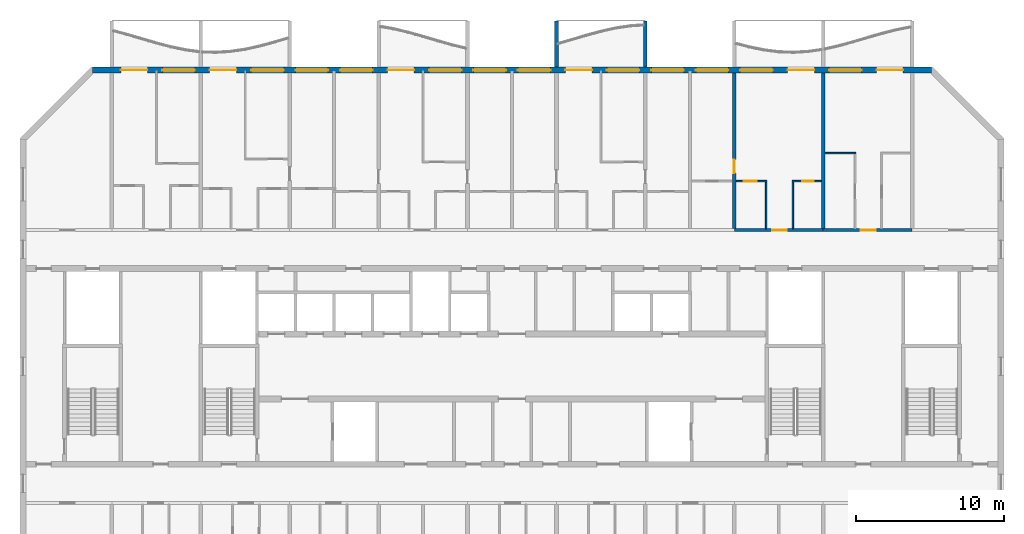
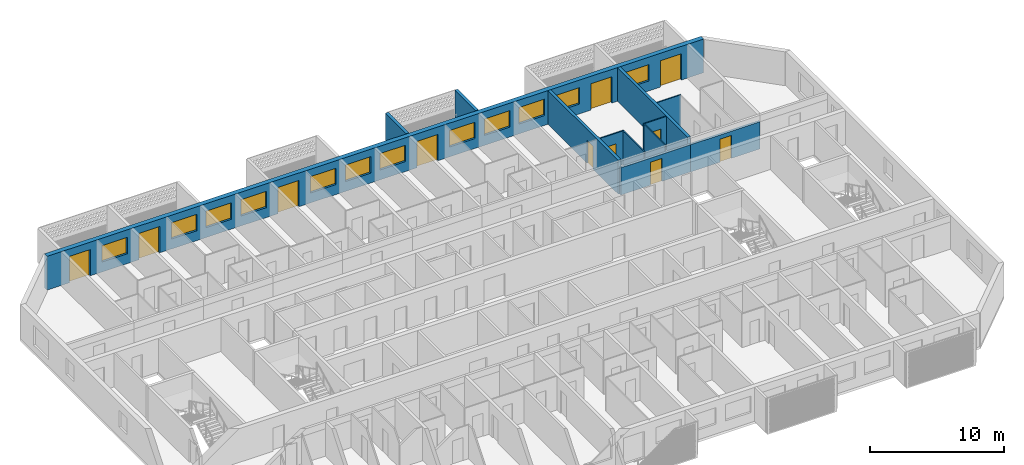
# One storey, part 10 of 27: 12 walls, 12 windows, 11 doors, 23 openings.
"""IFC4 building model written with IfcOpenShell, lengths in metres."""

import ifcopenshell
import ifcopenshell.guid

model = None  # the IFC model being written
_history = None  # IfcOwnerHistory: only IFC2X3 demands one
_inside = {}  # id of a spatial element -> (the spatial element, [elements in it])
_under = {}  # id of a project, library or spatial element -> (it, [spatial elements below it])
_declared = {}  # id of a project -> (the project, [libraries it declares])
_typed = {}  # id of a type object -> (the type object, [elements of that type])
_made_of = {}  # id of a material, layer set ... -> (it, [elements and type objects made of it])


def new_model(schema):
    """Start an empty IFC model of exactly this schema.

    Asked for "IFC4X3", IfcOpenShell would pick the latest addendum, in which some entities
    have other attributes; the version numbers below select the first issue.
    IFC2X3 requires an IfcOwnerHistory on every rooted entity: one is made here for all.
    """
    global model, _history
    if schema == "IFC4X3":
        model = ifcopenshell.file(schema_version=(4, 3, 0, 0))
    else:
        model = ifcopenshell.file(schema=schema)
    _inside.clear()
    _under.clear()
    _declared.clear()
    _typed.clear()
    _made_of.clear()
    _history = None
    if model.schema == "IFC2X3":
        org = make("IfcOrganization", Name="unknown")
        user = make(
            "IfcPersonAndOrganization",
            ThePerson=make("IfcPerson", FamilyName="unknown"),
            TheOrganization=org,
        )
        app = make(
            "IfcApplication",
            ApplicationDeveloper=org,
            Version="unknown",
            ApplicationFullName="unknown",
            ApplicationIdentifier="unknown",
        )
        _history = make(
            "IfcOwnerHistory",
            OwningUser=user,
            OwningApplication=app,
            ChangeAction="ADDED",
            CreationDate=0,
        )
    return model


def make(cls, **values):
    """One entity of the class cls with the attributes given. An attribute that is None is left unset."""
    return model.create_entity(
        cls, **{name: value for name, value in values.items() if value is not None}
    )


def rooted(cls, **values):
    """An entity with a GlobalId (a new one), such as an element, a storey or a relation."""
    return make(cls, GlobalId=ifcopenshell.guid.new(), OwnerHistory=_history, **values)


def si_unit(unit_type, name, prefix=None):
    """IfcSIUnit, for example si_unit("LENGTHUNIT", "METRE", prefix="MILLI")."""
    return make("IfcSIUnit", UnitType=unit_type, Prefix=prefix, Name=name)


def assignment(units):
    """IfcUnitAssignment: the units of a project."""
    return None if units is None else make("IfcUnitAssignment", Units=units)


def point(xyz):
    """IfcCartesianPoint."""
    return None if xyz is None else make("IfcCartesianPoint", Coordinates=xyz)


def direction(xyz):
    """IfcDirection."""
    return None if xyz is None else make("IfcDirection", DirectionRatios=xyz)


def frame(location, z_axis=None, x_axis=None):
    """IfcAxis2Placement3D, a coordinate frame: its origin and axes. An axis left out is left unset."""
    return make(
        "IfcAxis2Placement3D",
        Location=point(location),
        Axis=direction(z_axis),
        RefDirection=direction(x_axis),
    )


def frame_2d(location, x_axis=None):
    """IfcAxis2Placement2D, a coordinate frame in the plane: its origin and x axis."""
    return make(
        "IfcAxis2Placement2D", Location=point(location), RefDirection=direction(x_axis)
    )


def origin():
    """The frame at (0, 0, 0) with its axes left unset."""
    return frame((0.0, 0.0, 0.0))


def place(relative_to, where):
    """IfcLocalPlacement: puts the frame where relative to a parent placement (None: the world)."""
    return make(
        "IfcLocalPlacement", PlacementRelTo=relative_to, RelativePlacement=where
    )


def context(
    kind, dimensions, precision=None, world=None, true_north=None, identifier=None
):
    """IfcGeometricRepresentationContext, for example the 3D "Model" context."""
    return make(
        "IfcGeometricRepresentationContext",
        ContextIdentifier=identifier,
        ContextType=kind,
        CoordinateSpaceDimension=dimensions,
        Precision=precision,
        WorldCoordinateSystem=world,
        TrueNorth=true_north,
    )


def subcontext(parent, identifier, kind, view, scale=None):
    """IfcGeometricRepresentationSubContext, for example "Body" below "Model"."""
    return make(
        "IfcGeometricRepresentationSubContext",
        ContextIdentifier=identifier,
        ContextType=kind,
        ParentContext=parent,
        TargetScale=scale,
        TargetView=view,
    )


def project(units=None, contexts=None):
    """IfcProject with its units and contexts."""
    return rooted(
        "IfcProject",
        Name="project",
        RepresentationContexts=contexts,
        UnitsInContext=assignment(units),
    )


def spatial(cls, under=None, at=None, **own):
    """A site, building, storey or space (cls), placed at a placement, below another one or the project."""
    s = rooted(cls, ObjectPlacement=at, **own)
    if under is not None:
        _under.setdefault(under.id(), (under, []))[1].append(s)
    return s


def polyline(points):
    """IfcPolyline through the points."""
    return make("IfcPolyline", Points=[point(p) for p in points])


def profile(cls, at=None, kind="AREA", **sizes):
    """A parametric profile (cls). Its sizes go by their IFC names, for example OverallWidth=200.0."""
    return make(cls, ProfileType=kind, Position=at, **sizes)


def rectangle(**sizes):
    """IfcRectangleProfileDef."""
    return profile("IfcRectangleProfileDef", **sizes)


def outline(outer, holes=None, kind="AREA"):
    """IfcArbitraryClosedProfileDef: a profile drawn as a closed curve; with holes, ...WithVoids."""
    if holes is None:
        return make("IfcArbitraryClosedProfileDef", ProfileType=kind, OuterCurve=outer)
    return make(
        "IfcArbitraryProfileDefWithVoids",
        ProfileType=kind,
        OuterCurve=outer,
        InnerCurves=holes,
    )


def extrude(swept, where, along, depth):
    """IfcExtrudedAreaSolid: the profile swept, set in the frame where, extruded along a direction by depth."""
    return make(
        "IfcExtrudedAreaSolid",
        SweptArea=swept,
        Position=where,
        ExtrudedDirection=direction(along),
        Depth=depth,
    )


def shape(context_of_items, identifier, shape_type, items):
    """IfcShapeRepresentation: the items that make up one representation, for example the "Body"."""
    return make(
        "IfcShapeRepresentation",
        ContextOfItems=context_of_items,
        RepresentationIdentifier=identifier,
        RepresentationType=shape_type,
        Items=items,
    )


def source(mapping_origin, context_of_items, identifier, shape_type, items):
    """IfcRepresentationMap: a shape defined once, which mapped items show again and again."""
    return make(
        "IfcRepresentationMap",
        MappingOrigin=mapping_origin,
        MappedRepresentation=shape(context_of_items, identifier, shape_type, items),
    )


def transform(
    local_origin,
    x_axis=None,
    y_axis=None,
    z_axis=None,
    scale=None,
    scale2=None,
    scale3=None,
    uniform=True,
):
    """IfcCartesianTransformationOperator3D, or its non-uniform kind. x_axis, y_axis, z_axis: its Axis1, 2, 3."""
    if uniform:
        return make(
            "IfcCartesianTransformationOperator3D",
            Axis1=direction(x_axis),
            Axis2=direction(y_axis),
            LocalOrigin=point(local_origin),
            Scale=scale,
            Axis3=direction(z_axis),
        )
    return make(
        "IfcCartesianTransformationOperator3DnonUniform",
        Axis1=direction(x_axis),
        Axis2=direction(y_axis),
        LocalOrigin=point(local_origin),
        Scale=scale,
        Axis3=direction(z_axis),
        Scale2=scale2,
        Scale3=scale3,
    )


def mapped(mapping_source, mapping_target):
    """IfcMappedItem: shows the shape of a source again, moved by a transform."""
    return make(
        "IfcMappedItem", MappingSource=mapping_source, MappingTarget=mapping_target
    )


def material(Name=None, Category=None):
    """IfcMaterial."""
    return make("IfcMaterial", Name=Name, Category=Category)


def layer(
    of_material, thickness, ventilated=None, Name=None, Category=None, Priority=None
):
    """IfcMaterialLayer: one layer of a wall or slab, of a material (None: an air gap)."""
    return make(
        "IfcMaterialLayer",
        Material=of_material,
        LayerThickness=thickness,
        IsVentilated=ventilated,
        Name=Name,
        Category=Category,
        Priority=Priority,
    )


def layer_set(layers, Name=None):
    """IfcMaterialLayerSet."""
    return make("IfcMaterialLayerSet", MaterialLayers=layers, LayerSetName=Name)


def made_of(thing, what):
    """Note that an element or type object is made of a material, layer set ...; save() writes the relation."""
    if what is not None:
        _made_of.setdefault(what.id(), (what, []))[1].append(thing)
    return thing


def type_object(cls, material=None, **own):
    """A type object (cls), such as IfcWallType, which elements share."""
    return made_of(rooted(cls, **own), material)


def element(
    cls,
    number,
    at=None,
    inside=None,
    cuts=None,
    type_object=None,
    material=None,
    context=None,
    identifier="Body",
    shape_type=None,
    held_by="IfcProductDefinitionShape",
    body=None,
    shapes=None,
    **own,
):
    """One element of the class cls, such as IfcWall. Its Tag is "e" and its number.

    at: its placement. inside: the storey or other place that contains it. cuts: it is an
    opening in that element (IfcRelVoidsElement). A single representation is given by context,
    identifier, shape_type and body (its items); several are given by shapes. held_by: the class
    of the entity that holds the representations. save() writes the other relations.
    """
    e = rooted(cls, Tag="e%d" % number, ObjectPlacement=at, **own)
    if body is not None:
        shapes = [shape(context, identifier, shape_type, body)]
    if shapes is not None:
        e.Representation = make(held_by, Representations=shapes)
    if inside is not None:
        _inside.setdefault(inside.id(), (inside, []))[1].append(e)
    if cuts is not None:
        rooted(
            "IfcRelVoidsElement", RelatingBuildingElement=cuts, RelatedOpeningElement=e
        )
    if type_object is not None:
        _typed.setdefault(type_object.id(), (type_object, []))[1].append(e)
    return made_of(e, material)


def fill(opening, filler):
    """IfcRelFillsElement: the door or window that sits in an opening."""
    return rooted(
        "IfcRelFillsElement",
        RelatingOpeningElement=opening,
        RelatedBuildingElement=filler,
    )


def aggregate(whole, parts):
    """IfcRelAggregates: a whole, such as a stair, and the parts it consists of."""
    return rooted("IfcRelAggregates", RelatingObject=whole, RelatedObjects=parts)


def save(model, path):
    """Write the relations noted so far, then the file.

    IfcRelAggregates (storeys below a building ...), IfcRelContainedInSpatialStructure (elements
    in a storey), IfcRelDefinesByType, IfcRelAssociatesMaterial and IfcRelDeclares: one each for
    every whole, place, type object, material and project.
    """
    for whole, parts in _under.values():
        aggregate(whole, parts)
    for where, things in _inside.values():
        rooted(
            "IfcRelContainedInSpatialStructure",
            RelatedElements=things,
            RelatingStructure=where,
        )
    for kind, things in _typed.values():
        rooted("IfcRelDefinesByType", RelatedObjects=things, RelatingType=kind)
    for what, things in _made_of.values():
        rooted("IfcRelAssociatesMaterial", RelatedObjects=things, RelatingMaterial=what)
    for by, libraries in _declared.values():
        rooted("IfcRelDeclares", RelatingContext=by, RelatedDefinitions=libraries)
    model.write(path)


model = new_model("IFC4")

# Units and contexts
model_context = context("Model", 3, precision=1e-05, world=origin(), true_north=direction((0.0, 1.0)))
body_context = subcontext(model_context, "Body", "Model", "MODEL_VIEW")
ifc_project = project(units=[si_unit("LENGTHUNIT", "METRE"), si_unit("AREAUNIT", "SQUARE_METRE"), si_unit("VOLUMEUNIT", "CUBIC_METRE"), si_unit("PLANEANGLEUNIT", "RADIAN"), si_unit("MASSUNIT", "GRAM", prefix="KILO")], contexts=[model_context])

# Site, building, storey
site_placement = place(None, origin())
site = spatial("IfcSite", under=ifc_project, at=site_placement, CompositionType="ELEMENT")
building_placement = place(site_placement, origin())
building = spatial("IfcBuilding", under=site, at=building_placement, Name="Poui Terraces", CompositionType="ELEMENT")
storey_placement = place(building_placement, frame((0.0, 0.0, 191.699951171875)))
storey = spatial("IfcBuildingStorey", under=building, at=storey_placement, Name="L53", CompositionType="ELEMENT", Elevation=191.699951171875)

# Wall, opening, door
ifc_material_1 = material(Name="Concrete 50 MPa", Category="concrete")
ifc_layer_1 = layer(ifc_material_1, 0.199951171875)
ifc_layer_set_1 = layer_set([ifc_layer_1], Name="Concrete 50 MPa")
wall_type_1 = type_object("IfcWallType", Name="CORRIDOR WALL 200 50MPa", PredefinedType="SHEAR", material=ifc_layer_set_1)
wall_1_placement = place(storey_placement, frame((66.0, 30.39990234375, 0.0), z_axis=(0.0, 0.0, 1.0), x_axis=(1.0, 0.0, 0.0)))
wall_1 = element("IfcWall", 1, at=wall_1_placement, inside=storey, type_object=wall_type_1, Name="CORRIDOR WALL LINE E BAY 9", PredefinedType="SHEAR", context=body_context, shape_type="SweptSolid", body=[
    extrude(rectangle(XDim=6.0, YDim=0.199951171875, at=frame_2d((3.0, 0.0))), origin(), (0.0, 0.0, 1.0), 2.47998046875),
])
opening_1_placement = place(wall_1_placement, frame((2.550048828125, 0.0, 0.0)))
opening_1 = element("IfcOpeningElement", 2, at=opening_1_placement, cuts=wall_1, Name="Opening FD30S", PredefinedType="OPENING", context=body_context, shape_type="SweptSolid", body=[
    extrude(rectangle(XDim=1.0, YDim=2.10009765625, at=frame_2d((0.5, 1.050048828125))), frame((0.0, 0.10986328125, 0.0), z_axis=(0.0, -1.0, 0.0), x_axis=(1.0, 0.0, 0.0)), (0.0, 0.0, 1.0), 0.219970703125),
])
ifc_material_2 = material(Name="Steel fire door", Category="steel")
door_type_1 = type_object("IfcDoorType", Name="FLAT ENTRANCE DOOR 1000 X 2100", OperationType="NOTDEFINED", PredefinedType="DOOR", material=ifc_material_2)
door_1_placement = place(opening_1_placement, origin())
door_1 = element("IfcDoor", 3, at=door_1_placement, inside=storey, type_object=door_type_1, Name="FLAT ENTRANCE DOOR 057", OperationType="SINGLE_SWING_RIGHT", OverallHeight=2.10009765625, OverallWidth=1.0, PredefinedType="DOOR", context=body_context, shape_type="SweptSolid", body=[
    extrude(rectangle(XDim=1.0, YDim=2.10009765625, at=frame_2d((0.5, 1.050048828125))), frame((0.0, 0.02490234375, 0.0), z_axis=(0.0, -1.0, 0.0), x_axis=(1.0, 0.0, 0.0)), (0.0, 0.0, 1.0), 0.050048828125),
])
fill(opening_1, door_1)

wall_2_placement = place(storey_placement, frame((72.0, 30.39990234375, 0.0), z_axis=(0.0, 0.0, 1.0), x_axis=(1.0, 0.0, 0.0)))
wall_2 = element("IfcWall", 4, at=wall_2_placement, inside=storey, type_object=wall_type_1, Name="CORRIDOR WALL LINE E BAY 10", PredefinedType="SHEAR", context=body_context, shape_type="SweptSolid", body=[
    extrude(rectangle(XDim=6.0, YDim=0.199951171875, at=frame_2d((3.0, 0.0))), origin(), (0.0, 0.0, 1.0), 2.47998046875),
])
opening_2_placement = place(wall_2_placement, frame((2.550048828125, 0.0, 0.0)))
opening_2 = element("IfcOpeningElement", 5, at=opening_2_placement, cuts=wall_2, Name="Opening FD30S", PredefinedType="OPENING", context=body_context, shape_type="SweptSolid", body=[
    extrude(rectangle(XDim=1.0, YDim=2.10009765625, at=frame_2d((0.5, 1.050048828125))), frame((0.0, 0.10986328125, 0.0), z_axis=(0.0, -1.0, 0.0), x_axis=(1.0, 0.0, 0.0)), (0.0, 0.0, 1.0), 0.219970703125),
])
door_2_placement = place(opening_2_placement, origin())
door_2 = element("IfcDoor", 6, at=door_2_placement, inside=storey, type_object=door_type_1, Name="FLAT ENTRANCE DOOR 060", OperationType="SINGLE_SWING_RIGHT", OverallHeight=2.10009765625, OverallWidth=1.0, PredefinedType="DOOR", context=body_context, shape_type="SweptSolid", body=[
    extrude(rectangle(XDim=1.0, YDim=2.10009765625, at=frame_2d((0.5, 1.050048828125))), frame((0.0, 0.02490234375, 0.0), z_axis=(0.0, -1.0, 0.0), x_axis=(1.0, 0.0, 0.0)), (0.0, 0.0, 1.0), 0.050048828125),
])
fill(opening_2, door_2)

ifc_layer_2 = layer(ifc_material_1, 0.25)
ifc_layer_set_2 = layer_set([ifc_layer_2], Name="Concrete 50 MPa")
wall_type_2 = type_object("IfcWallType", Name="CROSS WALL 250 50MPa", PredefinedType="SHEAR", material=ifc_layer_set_2)
wall_3_placement = place(storey_placement, frame((66.0, 30.5, 0.0), z_axis=(0.0, 0.0, 1.0), x_axis=(0.0, 1.0, 0.0)))
wall_3 = element("IfcWall", 7, at=wall_3_placement, inside=storey, type_object=wall_type_2, Name="CROSS WALL LINE 12 NORTH", PredefinedType="SHEAR", context=body_context, shape_type="SweptSolid", body=[
    extrude(rectangle(XDim=10.5, YDim=0.25, at=frame_2d((5.25, 0.0))), origin(), (0.0, 0.0, 1.0), 3.080078125),
])
opening_3_placement = place(wall_3_placement, frame((3.75, 0.0, 0.0)))
opening_3 = element("IfcOpeningElement", 8, at=opening_3_placement, cuts=wall_3, Name="Opening D90", PredefinedType="OPENING", context=body_context, shape_type="SweptSolid", body=[
    extrude(rectangle(XDim=0.89990234375, YDim=2.10009765625, at=frame_2d((0.449951171875, 1.050048828125))), frame((0.0, 0.135009765625, 0.0), z_axis=(0.0, -1.0, 0.0), x_axis=(1.0, 0.0, 0.0)), (0.0, 0.0, 1.0), 0.27001953125),
])
ifc_material_3 = material(Name="Solid core timber door", Category="wood")
door_type_2 = type_object("IfcDoorType", Name="INTERNAL DOOR 900 X 2100", OperationType="NOTDEFINED", PredefinedType="DOOR", material=ifc_material_3)
door_3_placement = place(opening_3_placement, origin())
door_3 = element("IfcDoor", 9, at=door_3_placement, inside=storey, type_object=door_type_2, Name="INTERNAL DOOR 055", OperationType="SINGLE_SWING_LEFT", OverallHeight=2.10009765625, OverallWidth=0.89990234375, PredefinedType="DOOR", context=body_context, shape_type="SweptSolid", body=[
    extrude(rectangle(XDim=0.89990234375, YDim=2.10009765625, at=frame_2d((0.449951171875, 1.050048828125))), frame((0.0, 0.02490234375, 0.0), z_axis=(0.0, -1.0, 0.0), x_axis=(1.0, 0.0, 0.0)), (0.0, 0.0, 1.0), 0.050048828125),
])
fill(opening_3, door_3)

# Wall
wall_4_placement = place(storey_placement, frame((72.0, 30.5, 0.0), z_axis=(0.0, 0.0, 1.0), x_axis=(0.0, 1.0, 0.0)))
element("IfcWall", 10, at=wall_4_placement, inside=storey, type_object=wall_type_2, Name="CROSS WALL LINE 13 NORTH", PredefinedType="SHEAR", context=body_context, shape_type="SweptSolid", body=[
    extrude(rectangle(XDim=10.5, YDim=0.25, at=frame_2d((5.25, 0.0))), origin(), (0.0, 0.0, 1.0), 3.080078125),
])

# Wall, openings, doors, windows
ifc_material_4 = material(Name="Precast concrete 40 MPa", Category="concrete")
ifc_layer_3 = layer(ifc_material_4, 0.39990234375)
ifc_layer_set_3 = layer_set([ifc_layer_3], Name="Precast concrete 40 MPa")
wall_type_3 = type_object("IfcWallType", Name="EXTERNAL WALL 400", PredefinedType="STANDARD", material=ifc_layer_set_3)
wall_5_placement = place(storey_placement, frame((79.317138671875, 41.199951171875, 0.0), z_axis=(0.0, 0.0, 1.0), x_axis=(-1.0, 0.0, 0.0)))
wall_5 = element("IfcWall", 11, at=wall_5_placement, inside=storey, type_object=wall_type_3, Name="EXTERNAL WALL N", PredefinedType="STANDARD", context=body_context, shape_type="SweptSolid", body=[
    extrude(rectangle(XDim=56.63427734375, YDim=0.39990234375, at=frame_2d((28.317138671875, 0.0))), origin(), (0.0, 0.0, 1.0), 3.080078125),
])
opening_4_placement = place(wall_5_placement, frame((52.917236328125, 0.0, 0.0)))
opening_4 = element("IfcOpeningElement", 12, at=opening_4_placement, cuts=wall_5, Name="Opening BD1", PredefinedType="OPENING", context=body_context, shape_type="SweptSolid", body=[
    extrude(rectangle(XDim=1.800048828125, YDim=2.39990234375, at=frame_2d((0.89990234375, 1.199951171875))), frame((0.0, 0.2099609375, 0.0), z_axis=(0.0, -1.0, 0.0), x_axis=(1.0, 0.0, 0.0)), (0.0, 0.0, 1.0), 0.419921875),
])
opening_5_placement = place(wall_5_placement, frame((49.71728515625, 0.0, 0.89990234375)))
opening_5 = element("IfcOpeningElement", 13, at=opening_5_placement, cuts=wall_5, Name="Opening W1", PredefinedType="OPENING", context=body_context, shape_type="SweptSolid", body=[
    extrude(rectangle(XDim=2.199951171875, YDim=1.5, at=frame_2d((1.10009765625, 0.75))), frame((0.0, 0.2099609375, 0.0), z_axis=(0.0, -1.0, 0.0), x_axis=(1.0, 0.0, 0.0)), (0.0, 0.0, 1.0), 0.419921875),
])
opening_6_placement = place(wall_5_placement, frame((46.917236328125, 0.0, 0.0)))
opening_6 = element("IfcOpeningElement", 14, at=opening_6_placement, cuts=wall_5, Name="Opening BD1", PredefinedType="OPENING", context=body_context, shape_type="SweptSolid", body=[
    extrude(rectangle(XDim=1.800048828125, YDim=2.39990234375, at=frame_2d((0.89990234375, 1.199951171875))), frame((0.0, 0.2099609375, 0.0), z_axis=(0.0, -1.0, 0.0), x_axis=(1.0, 0.0, 0.0)), (0.0, 0.0, 1.0), 0.419921875),
])
opening_7_placement = place(wall_5_placement, frame((43.71728515625, 0.0, 0.89990234375)))
opening_7 = element("IfcOpeningElement", 15, at=opening_7_placement, cuts=wall_5, Name="Opening W1", PredefinedType="OPENING", context=body_context, shape_type="SweptSolid", body=[
    extrude(rectangle(XDim=2.199951171875, YDim=1.5, at=frame_2d((1.10009765625, 0.75))), frame((0.0, 0.2099609375, 0.0), z_axis=(0.0, -1.0, 0.0), x_axis=(1.0, 0.0, 0.0)), (0.0, 0.0, 1.0), 0.419921875),
])
opening_8_placement = place(wall_5_placement, frame((40.71728515625, 0.0, 0.89990234375)))
opening_8 = element("IfcOpeningElement", 16, at=opening_8_placement, cuts=wall_5, Name="Opening W1", PredefinedType="OPENING", context=body_context, shape_type="SweptSolid", body=[
    extrude(rectangle(XDim=2.199951171875, YDim=1.5, at=frame_2d((1.10009765625, 0.75))), frame((0.0, 0.2099609375, 0.0), z_axis=(0.0, -1.0, 0.0), x_axis=(1.0, 0.0, 0.0)), (0.0, 0.0, 1.0), 0.419921875),
])
opening_9_placement = place(wall_5_placement, frame((37.71728515625, 0.0, 0.89990234375)))
opening_9 = element("IfcOpeningElement", 17, at=opening_9_placement, cuts=wall_5, Name="Opening W1", PredefinedType="OPENING", context=body_context, shape_type="SweptSolid", body=[
    extrude(rectangle(XDim=2.199951171875, YDim=1.5, at=frame_2d((1.10009765625, 0.75))), frame((0.0, 0.2099609375, 0.0), z_axis=(0.0, -1.0, 0.0), x_axis=(1.0, 0.0, 0.0)), (0.0, 0.0, 1.0), 0.419921875),
])
opening_10_placement = place(wall_5_placement, frame((34.917236328125, 0.0, 0.0)))
opening_10 = element("IfcOpeningElement", 18, at=opening_10_placement, cuts=wall_5, Name="Opening BD1", PredefinedType="OPENING", context=body_context, shape_type="SweptSolid", body=[
    extrude(rectangle(XDim=1.800048828125, YDim=2.39990234375, at=frame_2d((0.89990234375, 1.199951171875))), frame((0.0, 0.2099609375, 0.0), z_axis=(0.0, -1.0, 0.0), x_axis=(1.0, 0.0, 0.0)), (0.0, 0.0, 1.0), 0.419921875),
])
opening_11_placement = place(wall_5_placement, frame((31.71728515625, 0.0, 0.89990234375)))
opening_11 = element("IfcOpeningElement", 19, at=opening_11_placement, cuts=wall_5, Name="Opening W1", PredefinedType="OPENING", context=body_context, shape_type="SweptSolid", body=[
    extrude(rectangle(XDim=2.199951171875, YDim=1.5, at=frame_2d((1.10009765625, 0.75))), frame((0.0, 0.2099609375, 0.0), z_axis=(0.0, -1.0, 0.0), x_axis=(1.0, 0.0, 0.0)), (0.0, 0.0, 1.0), 0.419921875),
])
opening_12_placement = place(wall_5_placement, frame((28.71728515625, 0.0, 0.89990234375)))
opening_12 = element("IfcOpeningElement", 20, at=opening_12_placement, cuts=wall_5, Name="Opening W1", PredefinedType="OPENING", context=body_context, shape_type="SweptSolid", body=[
    extrude(rectangle(XDim=2.199951171875, YDim=1.5, at=frame_2d((1.10009765625, 0.75))), frame((0.0, 0.2099609375, 0.0), z_axis=(0.0, -1.0, 0.0), x_axis=(1.0, 0.0, 0.0)), (0.0, 0.0, 1.0), 0.419921875),
])
opening_13_placement = place(wall_5_placement, frame((25.71728515625, 0.0, 0.89990234375)))
opening_13 = element("IfcOpeningElement", 21, at=opening_13_placement, cuts=wall_5, Name="Opening W1", PredefinedType="OPENING", context=body_context, shape_type="SweptSolid", body=[
    extrude(rectangle(XDim=2.199951171875, YDim=1.5, at=frame_2d((1.10009765625, 0.75))), frame((0.0, 0.2099609375, 0.0), z_axis=(0.0, -1.0, 0.0), x_axis=(1.0, 0.0, 0.0)), (0.0, 0.0, 1.0), 0.419921875),
])
opening_14_placement = place(wall_5_placement, frame((22.917236328125, 0.0, 0.0)))
opening_14 = element("IfcOpeningElement", 22, at=opening_14_placement, cuts=wall_5, Name="Opening BD1", PredefinedType="OPENING", context=body_context, shape_type="SweptSolid", body=[
    extrude(rectangle(XDim=1.800048828125, YDim=2.39990234375, at=frame_2d((0.89990234375, 1.199951171875))), frame((0.0, 0.2099609375, 0.0), z_axis=(0.0, -1.0, 0.0), x_axis=(1.0, 0.0, 0.0)), (0.0, 0.0, 1.0), 0.419921875),
])
opening_15_placement = place(wall_5_placement, frame((19.71728515625, 0.0, 0.89990234375)))
opening_15 = element("IfcOpeningElement", 23, at=opening_15_placement, cuts=wall_5, Name="Opening W1", PredefinedType="OPENING", context=body_context, shape_type="SweptSolid", body=[
    extrude(rectangle(XDim=2.199951171875, YDim=1.5, at=frame_2d((1.10009765625, 0.75))), frame((0.0, 0.2099609375, 0.0), z_axis=(0.0, -1.0, 0.0), x_axis=(1.0, 0.0, 0.0)), (0.0, 0.0, 1.0), 0.419921875),
])
opening_16_placement = place(wall_5_placement, frame((16.71728515625, 0.0, 0.89990234375)))
opening_16 = element("IfcOpeningElement", 24, at=opening_16_placement, cuts=wall_5, Name="Opening W1", PredefinedType="OPENING", context=body_context, shape_type="SweptSolid", body=[
    extrude(rectangle(XDim=2.199951171875, YDim=1.5, at=frame_2d((1.10009765625, 0.75))), frame((0.0, 0.2099609375, 0.0), z_axis=(0.0, -1.0, 0.0), x_axis=(1.0, 0.0, 0.0)), (0.0, 0.0, 1.0), 0.419921875),
])
opening_17_placement = place(wall_5_placement, frame((13.71728515625, 0.0, 0.89990234375)))
opening_17 = element("IfcOpeningElement", 25, at=opening_17_placement, cuts=wall_5, Name="Opening W1", PredefinedType="OPENING", context=body_context, shape_type="SweptSolid", body=[
    extrude(rectangle(XDim=2.199951171875, YDim=1.5, at=frame_2d((1.10009765625, 0.75))), frame((0.0, 0.2099609375, 0.0), z_axis=(0.0, -1.0, 0.0), x_axis=(1.0, 0.0, 0.0)), (0.0, 0.0, 1.0), 0.419921875),
])
opening_18_placement = place(wall_5_placement, frame((10.71728515625, 0.0, 0.89990234375)))
opening_18 = element("IfcOpeningElement", 26, at=opening_18_placement, cuts=wall_5, Name="Opening W1", PredefinedType="OPENING", context=body_context, shape_type="SweptSolid", body=[
    extrude(rectangle(XDim=2.199951171875, YDim=1.5, at=frame_2d((1.10009765625, 0.75))), frame((0.0, 0.2099609375, 0.0), z_axis=(0.0, -1.0, 0.0), x_axis=(1.0, 0.0, 0.0)), (0.0, 0.0, 1.0), 0.419921875),
])
opening_19_placement = place(wall_5_placement, frame((7.917236328125, 0.0, 0.0)))
opening_19 = element("IfcOpeningElement", 27, at=opening_19_placement, cuts=wall_5, Name="Opening BD1", PredefinedType="OPENING", context=body_context, shape_type="SweptSolid", body=[
    extrude(rectangle(XDim=1.800048828125, YDim=2.39990234375, at=frame_2d((0.89990234375, 1.199951171875))), frame((0.0, 0.2099609375, 0.0), z_axis=(0.0, -1.0, 0.0), x_axis=(1.0, 0.0, 0.0)), (0.0, 0.0, 1.0), 0.419921875),
])
opening_20_placement = place(wall_5_placement, frame((4.71728515625, 0.0, 0.89990234375)))
opening_20 = element("IfcOpeningElement", 28, at=opening_20_placement, cuts=wall_5, Name="Opening W1", PredefinedType="OPENING", context=body_context, shape_type="SweptSolid", body=[
    extrude(rectangle(XDim=2.199951171875, YDim=1.5, at=frame_2d((1.10009765625, 0.75))), frame((0.0, 0.2099609375, 0.0), z_axis=(0.0, -1.0, 0.0), x_axis=(1.0, 0.0, 0.0)), (0.0, 0.0, 1.0), 0.419921875),
])
opening_21_placement = place(wall_5_placement, frame((1.917236328125, 0.0, 0.0)))
opening_21 = element("IfcOpeningElement", 29, at=opening_21_placement, cuts=wall_5, Name="Opening BD1", PredefinedType="OPENING", context=body_context, shape_type="SweptSolid", body=[
    extrude(rectangle(XDim=1.800048828125, YDim=2.39990234375, at=frame_2d((0.89990234375, 1.199951171875))), frame((0.0, 0.2099609375, 0.0), z_axis=(0.0, -1.0, 0.0), x_axis=(1.0, 0.0, 0.0)), (0.0, 0.0, 1.0), 0.419921875),
])
ifc_material_5 = material(Name="Clear glass in aluminium frame", Category="aluminium")
door_type_3 = type_object("IfcDoorType", Name="BALCONY DOOR 1800X2400", OperationType="DOUBLE_DOOR_SLIDING", PredefinedType="DOOR", material=ifc_material_5)
door_4_placement = place(opening_4_placement, origin())
door_4 = element("IfcDoor", 30, at=door_4_placement, inside=storey, type_object=door_type_3, Name="BD1 BALCONY DOOR", OperationType="DOUBLE_DOOR_SLIDING", OverallHeight=2.39990234375, OverallWidth=1.800048828125, PredefinedType="DOOR", context=body_context, shape_type="SweptSolid", body=[
    extrude(rectangle(XDim=1.800048828125, YDim=2.39990234375, at=frame_2d((0.89990234375, 1.199951171875))), frame((0.0, 0.02490234375, 0.0), z_axis=(0.0, -1.0, 0.0), x_axis=(1.0, 0.0, 0.0)), (0.0, 0.0, 1.0), 0.050048828125),
])
fill(opening_4, door_4)
door_5_placement = place(opening_6_placement, origin())
door_5 = element("IfcDoor", 31, at=door_5_placement, inside=storey, type_object=door_type_3, Name="BD1 BALCONY DOOR", OperationType="DOUBLE_DOOR_SLIDING", OverallHeight=2.39990234375, OverallWidth=1.800048828125, PredefinedType="DOOR", context=body_context, shape_type="SweptSolid", body=[
    extrude(rectangle(XDim=1.800048828125, YDim=2.39990234375, at=frame_2d((0.89990234375, 1.199951171875))), frame((0.0, 0.02490234375, 0.0), z_axis=(0.0, -1.0, 0.0), x_axis=(1.0, 0.0, 0.0)), (0.0, 0.0, 1.0), 0.050048828125),
])
fill(opening_6, door_5)
door_6_placement = place(opening_10_placement, origin())
door_6 = element("IfcDoor", 32, at=door_6_placement, inside=storey, type_object=door_type_3, Name="BD1 BALCONY DOOR", OperationType="DOUBLE_DOOR_SLIDING", OverallHeight=2.39990234375, OverallWidth=1.800048828125, PredefinedType="DOOR", context=body_context, shape_type="SweptSolid", body=[
    extrude(rectangle(XDim=1.800048828125, YDim=2.39990234375, at=frame_2d((0.89990234375, 1.199951171875))), frame((0.0, 0.02490234375, 0.0), z_axis=(0.0, -1.0, 0.0), x_axis=(1.0, 0.0, 0.0)), (0.0, 0.0, 1.0), 0.050048828125),
])
fill(opening_10, door_6)
door_7_placement = place(opening_14_placement, origin())
door_7 = element("IfcDoor", 33, at=door_7_placement, inside=storey, type_object=door_type_3, Name="BD1 BALCONY DOOR", OperationType="DOUBLE_DOOR_SLIDING", OverallHeight=2.39990234375, OverallWidth=1.800048828125, PredefinedType="DOOR", context=body_context, shape_type="SweptSolid", body=[
    extrude(rectangle(XDim=1.800048828125, YDim=2.39990234375, at=frame_2d((0.89990234375, 1.199951171875))), frame((0.0, 0.02490234375, 0.0), z_axis=(0.0, -1.0, 0.0), x_axis=(1.0, 0.0, 0.0)), (0.0, 0.0, 1.0), 0.050048828125),
])
fill(opening_14, door_7)
door_8_placement = place(opening_19_placement, origin())
door_8 = element("IfcDoor", 34, at=door_8_placement, inside=storey, type_object=door_type_3, Name="BD1 BALCONY DOOR", OperationType="DOUBLE_DOOR_SLIDING", OverallHeight=2.39990234375, OverallWidth=1.800048828125, PredefinedType="DOOR", context=body_context, shape_type="SweptSolid", body=[
    extrude(rectangle(XDim=1.800048828125, YDim=2.39990234375, at=frame_2d((0.89990234375, 1.199951171875))), frame((0.0, 0.02490234375, 0.0), z_axis=(0.0, -1.0, 0.0), x_axis=(1.0, 0.0, 0.0)), (0.0, 0.0, 1.0), 0.050048828125),
])
fill(opening_19, door_8)
door_9_placement = place(opening_21_placement, origin())
door_9 = element("IfcDoor", 35, at=door_9_placement, inside=storey, type_object=door_type_3, Name="BD1 BALCONY DOOR", OperationType="DOUBLE_DOOR_SLIDING", OverallHeight=2.39990234375, OverallWidth=1.800048828125, PredefinedType="DOOR", context=body_context, shape_type="SweptSolid", body=[
    extrude(rectangle(XDim=1.800048828125, YDim=2.39990234375, at=frame_2d((0.89990234375, 1.199951171875))), frame((0.0, 0.02490234375, 0.0), z_axis=(0.0, -1.0, 0.0), x_axis=(1.0, 0.0, 0.0)), (0.0, 0.0, 1.0), 0.050048828125),
])
fill(opening_21, door_9)
window_type = type_object("IfcWindowType", Name="WINDOW 2200X1500", PartitioningType="DOUBLE_PANEL_HORIZONTAL", PredefinedType="WINDOW", material=ifc_material_5)
window_1_placement = place(opening_5_placement, origin())
window_1 = element("IfcWindow", 36, at=window_1_placement, inside=storey, type_object=window_type, Name="W1 WINDOW", OverallHeight=1.5, OverallWidth=2.199951171875, PartitioningType="DOUBLE_PANEL_HORIZONTAL", PredefinedType="WINDOW", context=body_context, shape_type="SweptSolid", body=[
    extrude(rectangle(XDim=2.199951171875, YDim=1.5, at=frame_2d((1.10009765625, 0.75))), frame((0.0, 0.030029296875, 0.0), z_axis=(0.0, -1.0, 0.0), x_axis=(1.0, 0.0, 0.0)), (0.0, 0.0, 1.0), 0.06005859375),
])
fill(opening_5, window_1)
window_2_placement = place(opening_7_placement, origin())
window_2 = element("IfcWindow", 37, at=window_2_placement, inside=storey, type_object=window_type, Name="W1 WINDOW", OverallHeight=1.5, OverallWidth=2.199951171875, PartitioningType="DOUBLE_PANEL_HORIZONTAL", PredefinedType="WINDOW", context=body_context, shape_type="SweptSolid", body=[
    extrude(rectangle(XDim=2.199951171875, YDim=1.5, at=frame_2d((1.10009765625, 0.75))), frame((0.0, 0.030029296875, 0.0), z_axis=(0.0, -1.0, 0.0), x_axis=(1.0, 0.0, 0.0)), (0.0, 0.0, 1.0), 0.06005859375),
])
fill(opening_7, window_2)
window_3_placement = place(opening_8_placement, origin())
window_3 = element("IfcWindow", 38, at=window_3_placement, inside=storey, type_object=window_type, Name="W1 WINDOW", OverallHeight=1.5, OverallWidth=2.199951171875, PartitioningType="DOUBLE_PANEL_HORIZONTAL", PredefinedType="WINDOW", context=body_context, shape_type="SweptSolid", body=[
    extrude(rectangle(XDim=2.199951171875, YDim=1.5, at=frame_2d((1.10009765625, 0.75))), frame((0.0, 0.030029296875, 0.0), z_axis=(0.0, -1.0, 0.0), x_axis=(1.0, 0.0, 0.0)), (0.0, 0.0, 1.0), 0.06005859375),
])
fill(opening_8, window_3)
window_4_placement = place(opening_9_placement, origin())
window_4 = element("IfcWindow", 39, at=window_4_placement, inside=storey, type_object=window_type, Name="W1 WINDOW", OverallHeight=1.5, OverallWidth=2.199951171875, PartitioningType="DOUBLE_PANEL_HORIZONTAL", PredefinedType="WINDOW", context=body_context, shape_type="SweptSolid", body=[
    extrude(rectangle(XDim=2.199951171875, YDim=1.5, at=frame_2d((1.10009765625, 0.75))), frame((0.0, 0.030029296875, 0.0), z_axis=(0.0, -1.0, 0.0), x_axis=(1.0, 0.0, 0.0)), (0.0, 0.0, 1.0), 0.06005859375),
])
fill(opening_9, window_4)
window_5_placement = place(opening_11_placement, origin())
window_5 = element("IfcWindow", 40, at=window_5_placement, inside=storey, type_object=window_type, Name="W1 WINDOW", OverallHeight=1.5, OverallWidth=2.199951171875, PartitioningType="DOUBLE_PANEL_HORIZONTAL", PredefinedType="WINDOW", context=body_context, shape_type="SweptSolid", body=[
    extrude(rectangle(XDim=2.199951171875, YDim=1.5, at=frame_2d((1.10009765625, 0.75))), frame((0.0, 0.030029296875, 0.0), z_axis=(0.0, -1.0, 0.0), x_axis=(1.0, 0.0, 0.0)), (0.0, 0.0, 1.0), 0.06005859375),
])
fill(opening_11, window_5)
window_6_placement = place(opening_12_placement, origin())
window_6 = element("IfcWindow", 41, at=window_6_placement, inside=storey, type_object=window_type, Name="W1 WINDOW", OverallHeight=1.5, OverallWidth=2.199951171875, PartitioningType="DOUBLE_PANEL_HORIZONTAL", PredefinedType="WINDOW", context=body_context, shape_type="SweptSolid", body=[
    extrude(rectangle(XDim=2.199951171875, YDim=1.5, at=frame_2d((1.10009765625, 0.75))), frame((0.0, 0.030029296875, 0.0), z_axis=(0.0, -1.0, 0.0), x_axis=(1.0, 0.0, 0.0)), (0.0, 0.0, 1.0), 0.06005859375),
])
fill(opening_12, window_6)
window_7_placement = place(opening_13_placement, origin())
window_7 = element("IfcWindow", 42, at=window_7_placement, inside=storey, type_object=window_type, Name="W1 WINDOW", OverallHeight=1.5, OverallWidth=2.199951171875, PartitioningType="DOUBLE_PANEL_HORIZONTAL", PredefinedType="WINDOW", context=body_context, shape_type="SweptSolid", body=[
    extrude(rectangle(XDim=2.199951171875, YDim=1.5, at=frame_2d((1.10009765625, 0.75))), frame((0.0, 0.030029296875, 0.0), z_axis=(0.0, -1.0, 0.0), x_axis=(1.0, 0.0, 0.0)), (0.0, 0.0, 1.0), 0.06005859375),
])
fill(opening_13, window_7)
window_8_placement = place(opening_15_placement, origin())
window_8 = element("IfcWindow", 43, at=window_8_placement, inside=storey, type_object=window_type, Name="W1 WINDOW", OverallHeight=1.5, OverallWidth=2.199951171875, PartitioningType="DOUBLE_PANEL_HORIZONTAL", PredefinedType="WINDOW", context=body_context, shape_type="SweptSolid", body=[
    extrude(rectangle(XDim=2.199951171875, YDim=1.5, at=frame_2d((1.10009765625, 0.75))), frame((0.0, 0.030029296875, 0.0), z_axis=(0.0, -1.0, 0.0), x_axis=(1.0, 0.0, 0.0)), (0.0, 0.0, 1.0), 0.06005859375),
])
fill(opening_15, window_8)
window_9_placement = place(opening_16_placement, origin())
window_9 = element("IfcWindow", 44, at=window_9_placement, inside=storey, type_object=window_type, Name="W1 WINDOW", OverallHeight=1.5, OverallWidth=2.199951171875, PartitioningType="DOUBLE_PANEL_HORIZONTAL", PredefinedType="WINDOW", context=body_context, shape_type="SweptSolid", body=[
    extrude(rectangle(XDim=2.199951171875, YDim=1.5, at=frame_2d((1.10009765625, 0.75))), frame((0.0, 0.030029296875, 0.0), z_axis=(0.0, -1.0, 0.0), x_axis=(1.0, 0.0, 0.0)), (0.0, 0.0, 1.0), 0.06005859375),
])
fill(opening_16, window_9)
window_10_placement = place(opening_17_placement, origin())
window_10 = element("IfcWindow", 45, at=window_10_placement, inside=storey, type_object=window_type, Name="W1 WINDOW", OverallHeight=1.5, OverallWidth=2.199951171875, PartitioningType="DOUBLE_PANEL_HORIZONTAL", PredefinedType="WINDOW", context=body_context, shape_type="SweptSolid", body=[
    extrude(rectangle(XDim=2.199951171875, YDim=1.5, at=frame_2d((1.10009765625, 0.75))), frame((0.0, 0.030029296875, 0.0), z_axis=(0.0, -1.0, 0.0), x_axis=(1.0, 0.0, 0.0)), (0.0, 0.0, 1.0), 0.06005859375),
])
fill(opening_17, window_10)
window_11_placement = place(opening_18_placement, origin())
window_11 = element("IfcWindow", 46, at=window_11_placement, inside=storey, type_object=window_type, Name="W1 WINDOW", OverallHeight=1.5, OverallWidth=2.199951171875, PartitioningType="DOUBLE_PANEL_HORIZONTAL", PredefinedType="WINDOW", context=body_context, shape_type="SweptSolid", body=[
    extrude(rectangle(XDim=2.199951171875, YDim=1.5, at=frame_2d((1.10009765625, 0.75))), frame((0.0, 0.030029296875, 0.0), z_axis=(0.0, -1.0, 0.0), x_axis=(1.0, 0.0, 0.0)), (0.0, 0.0, 1.0), 0.06005859375),
])
fill(opening_18, window_11)
window_12_placement = place(opening_20_placement, origin())
window_12 = element("IfcWindow", 47, at=window_12_placement, inside=storey, type_object=window_type, Name="W1 WINDOW", OverallHeight=1.5, OverallWidth=2.199951171875, PartitioningType="DOUBLE_PANEL_HORIZONTAL", PredefinedType="WINDOW", context=body_context, shape_type="SweptSolid", body=[
    extrude(rectangle(XDim=2.199951171875, YDim=1.5, at=frame_2d((1.10009765625, 0.75))), frame((0.0, 0.030029296875, 0.0), z_axis=(0.0, -1.0, 0.0), x_axis=(1.0, 0.0, 0.0)), (0.0, 0.0, 1.0), 0.06005859375),
])
fill(opening_20, window_12)

# Wall, opening, door
ifc_material_6 = material(Name="Plasterboard partition")
ifc_layer_4 = layer(ifc_material_6, 0.10009765625)
ifc_layer_set_4 = layer_set([ifc_layer_4], Name="Plasterboard partition")
wall_type_4 = type_object("IfcWallType", Name="FLAT PARTITION 100", PredefinedType="PARTITIONING", material=ifc_layer_set_4)
wall_6_placement = place(storey_placement, frame((66.135009765625, 33.699951171875, 0.0), z_axis=(0.0, 0.0, 1.0), x_axis=(1.0, 0.0, 0.0)))
wall_6 = element("IfcWall", 48, at=wall_6_placement, inside=storey, type_object=wall_type_4, Name="FLAT PARTITION 100", PredefinedType="PARTITIONING", context=body_context, shape_type="SweptSolid", body=[
    extrude(rectangle(XDim=2.06494140625, YDim=0.10009765625, at=frame_2d((1.032470703125, 0.0))), origin(), (0.0, 0.0, 1.0), 3.080078125),
])
opening_22_placement = place(wall_6_placement, frame((0.489990234375, 0.0, 0.0)))
opening_22 = element("IfcOpeningElement", 49, at=opening_22_placement, cuts=wall_6, Name="Opening D90", PredefinedType="OPENING", context=body_context, shape_type="SweptSolid", body=[
    extrude(rectangle(XDim=0.89990234375, YDim=2.10009765625, at=frame_2d((0.449951171875, 1.050048828125))), frame((0.0, 0.06005859375, 0.0), z_axis=(0.0, -1.0, 0.0), x_axis=(1.0, 0.0, 0.0)), (0.0, 0.0, 1.0), 0.1201171875),
])
door_10_placement = place(opening_22_placement, frame((0.89990234375, 0.0, 0.0), z_axis=(0.0, 0.0, 1.0), x_axis=(-1.0, 0.0, 0.0)))
door_10 = element("IfcDoor", 50, at=door_10_placement, inside=storey, type_object=door_type_2, Name="INTERNAL DOOR 056", OperationType="SINGLE_SWING_RIGHT", OverallHeight=2.10009765625, OverallWidth=0.89990234375, PredefinedType="DOOR", context=body_context, shape_type="SweptSolid", body=[
    extrude(rectangle(XDim=0.89990234375, YDim=2.10009765625, at=frame_2d((0.449951171875, 1.050048828125))), frame((0.0, 0.02490234375, 0.0), z_axis=(0.0, -1.0, 0.0), x_axis=(1.0, 0.0, 0.0)), (0.0, 0.0, 1.0), 0.050048828125),
])
fill(opening_22, door_10)

wall_7_placement = place(storey_placement, frame((69.89990234375, 33.699951171875, 0.0), z_axis=(0.0, 0.0, 1.0), x_axis=(1.0, 0.0, 0.0)))
wall_7 = element("IfcWall", 51, at=wall_7_placement, inside=storey, type_object=wall_type_4, Name="FLAT PARTITION 100", PredefinedType="PARTITIONING", context=body_context, shape_type="SweptSolid", body=[
    extrude(rectangle(XDim=1.965087890625, YDim=0.10009765625, at=frame_2d((0.982421875, 0.0))), origin(), (0.0, 0.0, 1.0), 3.080078125),
])
opening_23_placement = place(wall_7_placement, frame((0.675048828125, 0.0, 0.0)))
opening_23 = element("IfcOpeningElement", 52, at=opening_23_placement, cuts=wall_7, Name="Opening D80", PredefinedType="OPENING", context=body_context, shape_type="SweptSolid", body=[
    extrude(rectangle(XDim=0.800048828125, YDim=2.10009765625, at=frame_2d((0.39990234375, 1.050048828125))), frame((0.0, 0.06005859375, 0.0), z_axis=(0.0, -1.0, 0.0), x_axis=(1.0, 0.0, 0.0)), (0.0, 0.0, 1.0), 0.1201171875),
])
door_type_4 = type_object("IfcDoorType", Name="BATHROOM, LAUNDRY AND STORE DOOR 800 X 2100", OperationType="NOTDEFINED", PredefinedType="DOOR", material=ifc_material_3)
door_11_placement = place(opening_23_placement, frame((0.800048828125, 0.0, 0.0), z_axis=(0.0, 0.0, 1.0), x_axis=(-1.0, 0.0, 0.0)))
door_11 = element("IfcDoor", 53, at=door_11_placement, inside=storey, type_object=door_type_4, Name="BATHROOM, LAUNDRY AND STORE DOOR 058", OperationType="SINGLE_SWING_LEFT", OverallHeight=2.10009765625, OverallWidth=0.800048828125, PredefinedType="DOOR", context=body_context, shape_type="SweptSolid", body=[
    extrude(rectangle(XDim=0.800048828125, YDim=2.10009765625, at=frame_2d((0.39990234375, 1.050048828125))), frame((0.0, 0.02490234375, 0.0), z_axis=(0.0, -1.0, 0.0), x_axis=(1.0, 0.0, 0.0)), (0.0, 0.0, 1.0), 0.050048828125),
])
fill(opening_23, door_11)

# Walls
wall_8_placement = place(storey_placement, frame((72.135009765625, 35.60009765625, 0.0), z_axis=(0.0, 0.0, 1.0), x_axis=(1.0, 0.0, 0.0)))
element("IfcWall", 54, at=wall_8_placement, inside=storey, type_object=wall_type_4, Name="FLAT PARTITION 100", PredefinedType="PARTITIONING", context=body_context, shape_type="SweptSolid", body=[
    extrude(rectangle(XDim=2.06494140625, YDim=0.10009765625, at=frame_2d((1.032470703125, 0.0))), origin(), (0.0, 0.0, 1.0), 3.080078125),
])
for number, where, z_axis, x_axis, name in (
    (55, (68.14990234375, 30.510009765625, 0.0), (0.0, 0.0, 1.0), (0.0, 1.0, 0.0), "FLAT PARTITION 100"),
    (56, (69.949951171875, 30.510009765625, 0.0), (0.0, 0.0, 1.0), (0.0, 1.0, 0.0), "FLAT PARTITION 100"),
):
    element("IfcWall", number, at=place(storey_placement, frame(where, z_axis=z_axis, x_axis=x_axis)), inside=storey, type_object=wall_type_4, Name=name, PredefinedType="PARTITIONING", context=body_context, shape_type="SweptSolid", body=[
        extrude(rectangle(XDim=3.139892578125, YDim=0.10009765625, at=frame_2d((1.56982421875, 0.0))), origin(), (0.0, 0.0, 1.0), 3.080078125),
    ])
ifc_layer_5 = layer(ifc_material_4, 0.25)
ifc_layer_set_5 = layer_set([ifc_layer_5], Name="Precast concrete 40 MPa")
wall_type_5 = type_object("IfcWallType", Name="BALCONY FIN 250", PredefinedType="STANDARD", material=ifc_layer_set_5)
shared_shape = source(origin(), body_context, "Body", "SweptSolid", [
    extrude(outline(polyline([(0.0, 0.0), (0.25, 0.0), (0.25, 3.10009765625), (0.0, 3.10009765625), (0.0, 0.0)])), origin(), (0.0, 0.0, 1.0), 3.10009765625),
])
for number, where, name in (
    (57, (53.875, 41.39990234375, 0.0), "BALCONY FIN"),
    (58, (59.875, 41.39990234375, 0.0), "BALCONY FIN"),
):
    element("IfcWall", number, at=place(storey_placement, frame(where)), inside=storey, type_object=wall_type_5, Name=name, PredefinedType="STANDARD", context=body_context, shape_type="MappedRepresentation", body=[
        mapped(shared_shape, transform((0.0, 0.0, 0.0))),
    ])

save(model, "model.ifc")
